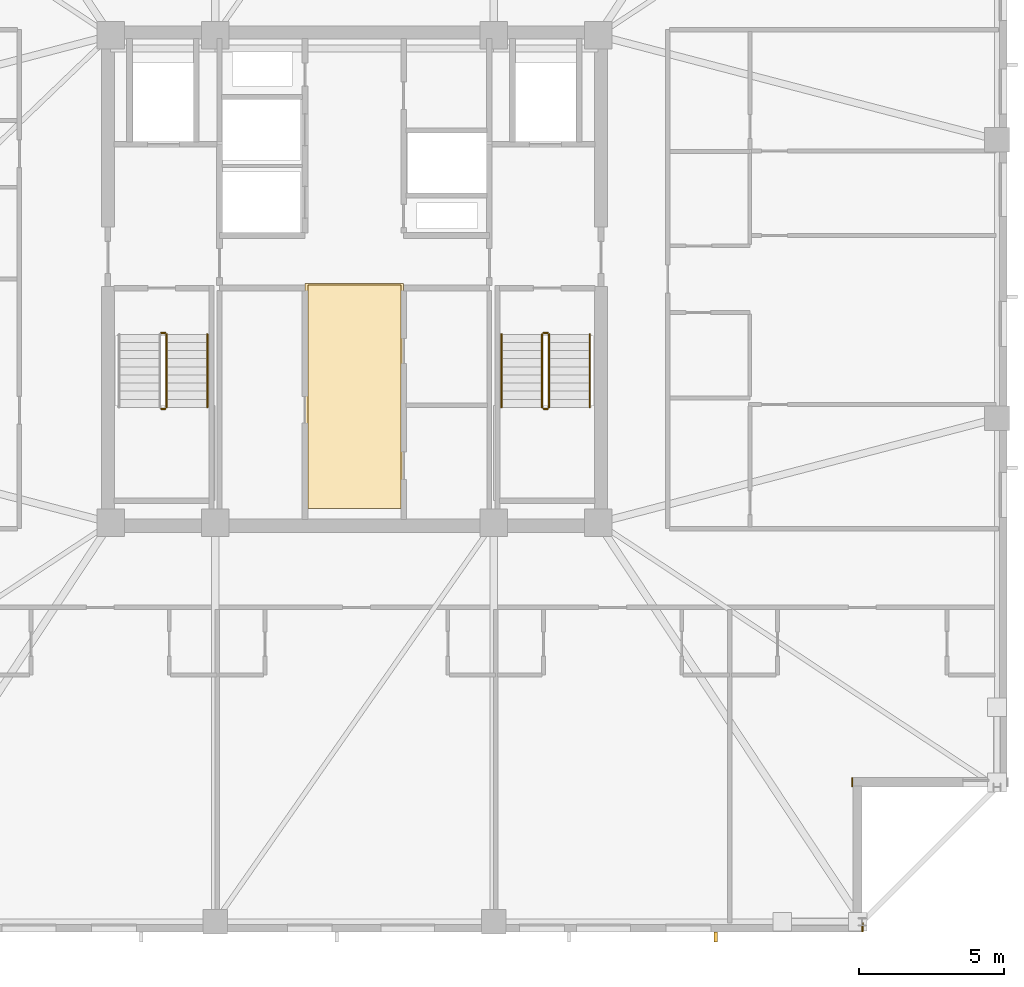
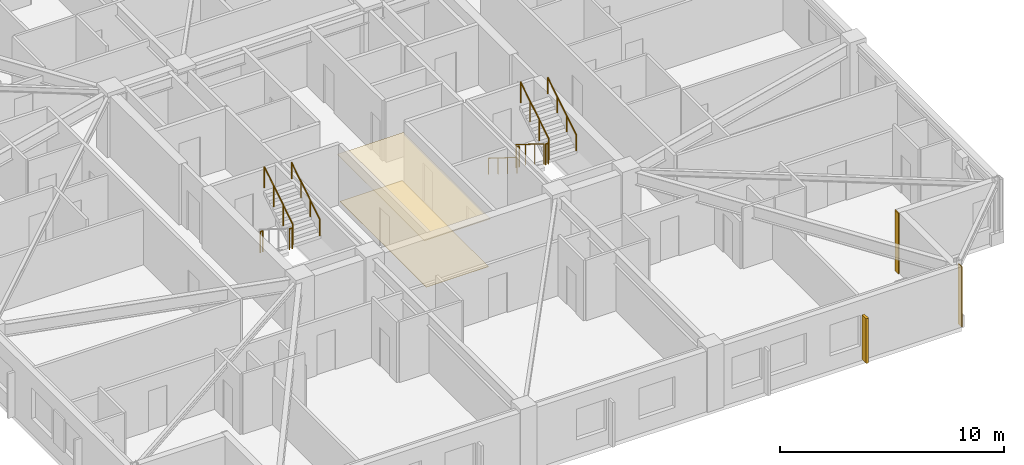
# One storey, part 14 of 17: 10 railings, 4 coverings, 1 shading device.
"""IFC4 building model written with IfcOpenShell, lengths in metres."""

from ifc_helpers import new_model, si_unit, direction, frame, frame_2d, origin, origin_2d, place, context, subcontext, project, spatial, polyline, rectangle, circle, outline, extrude, material, layer, layer_set, type_object, element, save


model = new_model("IFC4")

# Units and contexts
model_context = context("Model", 3, precision=1e-05, world=origin(), true_north=direction((0.0, 1.0)))
body_context = subcontext(model_context, "Body", "Model", "MODEL_VIEW")
ifc_project = project(units=[si_unit("LENGTHUNIT", "METRE"), si_unit("AREAUNIT", "SQUARE_METRE"), si_unit("VOLUMEUNIT", "CUBIC_METRE"), si_unit("PLANEANGLEUNIT", "RADIAN"), si_unit("MASSUNIT", "GRAM", prefix="KILO")], contexts=[model_context])

# Site, building, storey
site_placement = place(None, origin())
site = spatial("IfcSite", under=ifc_project, at=site_placement, CompositionType="ELEMENT")
building_placement = place(site_placement, origin())
building = spatial("IfcBuilding", under=site, at=building_placement, Name="Cairnveth Concourse Tower", CompositionType="ELEMENT")
storey_placement = place(building_placement, frame((0.0, 0.0, 220.0)))
storey = spatial("IfcBuildingStorey", under=building, at=storey_placement, Name="L60", CompositionType="ELEMENT", Elevation=220.0)

# Coverings
ifc_material_1 = material(Name="Acoustic Mineral Fibre Ceiling", Category="gypsum")
ifc_layer_1 = layer(ifc_material_1, 0.02490234375)
ifc_layer_set_1 = layer_set([ifc_layer_1], Name="Acoustic Mineral Fibre Ceiling")
covering_type_1 = type_object("IfcCoveringType", Name="ACOUSTIC MINERAL FIBRE CEILING 25", PredefinedType="CEILING", material=ifc_layer_set_1)
covering_1_placement = place(storey_placement, frame((0.0, 0.0, 2.55810546875)))
element("IfcCovering", 1, at=covering_1_placement, inside=storey, type_object=covering_type_1, Name="Lift Lobby Acoustic Ceiling L60", PredefinedType="CEILING", context=body_context, shape_type="SweptSolid", body=[
    extrude(outline(polyline([(50.300048828125, 31.10009765625), (53.699951171875, 31.10009765625), (53.699951171875, 38.85009765625), (50.300048828125, 38.85009765625), (50.300048828125, 31.10009765625)])), origin(), (0.0, 0.0, 1.0), 0.02490234375),
])
ifc_material_2 = material(Name="Dressed Melbourne Bluestone Cladding", Category="masonry")
ifc_layer_2 = layer(ifc_material_2, 0.050048828125)
ifc_layer_set_2 = layer_set([ifc_layer_2], Name="Dressed Melbourne Bluestone Cladding")
covering_type_2 = type_object("IfcCoveringType", Name="DRESSED BLUESTONE PLINTH CLADDING 50", PredefinedType="CLADDING", material=ifc_layer_set_2)
for number, where, z_axis, x_axis, name in (
    (2, (69.159912109375, 21.820068359375, 0.0), (0.0, 0.0, 1.0), (0.0, -1.0, 0.0), "Melbourne Bluestone Corner Quoin L60-900"),
    (3, (69.52001953125, 16.820068359375, 0.0), (0.0, 0.0, 1.0), (0.0, -1.0, 0.0), "Melbourne Bluestone Corner Quoin L60-901"),
):
    element("IfcCovering", number, at=place(storey_placement, frame(where, z_axis=z_axis, x_axis=x_axis)), inside=storey, type_object=covering_type_2, Name=name, PredefinedType="CLADDING", context=body_context, shape_type="SweptSolid", body=[
        extrude(rectangle(XDim=0.320068359375, YDim=0.050048828125, at=frame_2d((0.16015625, 0.0))), origin(), (0.0, 0.0, 1.0), 3.2900390625),
    ])

# Shading device
ifc_material_3 = material(Name="Architectural Bronze Anodised Aluminium 6063-T6", Category="aluminium")
shading_device_type = type_object("IfcShadingDeviceType", Name="GOTHIC BRONZE VERTICAL LANCET FIN", PredefinedType="USERDEFINED", material=ifc_material_3)
shading_device_placement = place(storey_placement, frame((64.447509765625, 16.324951171875, 0.030029296875), z_axis=(0.0, 0.0, 1.0), x_axis=(1.0, 0.0, 0.0)))
element("IfcShadingDevice", 4, at=shading_device_placement, inside=storey, type_object=shading_device_type, Name="Gothic Bronze Vertical Fin L60-6-1", ObjectType="VERTICAL FIN", PredefinedType="USERDEFINED", context=body_context, shape_type="SweptSolid", body=[
    extrude(rectangle(XDim=0.1201171875, YDim=0.360107421875, at=origin_2d()), origin(), (0.0, 0.0, 1.0), 2.43798828125),
])

# Railings
ifc_material_4 = material(Name="Steel Grade 350", Category="steel")
railing_type_1 = type_object("IfcRailingType", Name="STAIR GUARDRAIL 1150", PredefinedType="GUARDRAIL", material=ifc_material_4)
railing_1_placement = place(storey_placement, frame((45.340087890625, 34.530029296875, 1.75)))
element("IfcRailing", 5, at=railing_1_placement, inside=storey, type_object=railing_type_1, Name="L60 ST-1 stair guard 2", PredefinedType="GUARDRAIL", context=body_context, shape_type="SweptSolid", body=[
    extrude(circle(Radius=0.02392578125, at=origin_2d()), frame((0.0, 0.0, 1.1259765625), z_axis=(1.0, 0.0, 0.0), x_axis=(0.0, 1.0, 0.0)), (0.0, 0.0, 1.0), 0.139892578125),
    extrude(circle(Radius=0.02099609375, at=origin_2d()), origin(), (0.0, 0.0, 1.0), 1.101806640625),
    extrude(circle(Radius=0.02099609375, at=origin_2d()), frame((0.139892578125, 0.0, 0.0)), (0.0, 0.0, 1.0), 1.101806640625),
])
railing_2_placement = place(storey_placement, frame((45.530029296875, 34.580078125, 1.925048828125)))
element("IfcRailing", 6, at=railing_2_placement, inside=storey, type_object=railing_type_1, Name="L60 ST-1 stair guard 3", PredefinedType="GUARDRAIL", context=body_context, shape_type="SweptSolid", body=[
    extrude(circle(Radius=0.02392578125, at=origin_2d()), frame((0.0, 0.0, 1.1259765625), z_axis=(0.0, 0.848007534815, 0.529984170421), x_axis=(-1.0, 0.0, 0.0)), (0.0, 0.0, 1.0), 2.9716796875),
    extrude(circle(Radius=0.02099609375, at=origin_2d()), origin(), (0.0, 0.0, 1.0), 1.101806640625),
    extrude(circle(Radius=0.02099609375, at=origin_2d()), frame((0.0, 0.840087890625, 0.52490234375)), (0.0, 0.0, 1.0), 1.101806640625),
    extrude(circle(Radius=0.02099609375, at=origin_2d()), frame((0.0, 1.679931640625, 1.050048828125)), (0.0, 0.0, 1.0), 1.101806640625),
    extrude(circle(Radius=0.02099609375, at=origin_2d()), frame((0.0, 2.52001953125, 1.574951171875)), (0.0, 0.0, 1.0), 1.101806640625),
])
railing_3_placement = place(storey_placement, frame((45.340087890625, 37.14990234375, 0.0)))
element("IfcRailing", 7, at=railing_3_placement, inside=storey, type_object=railing_type_1, Name="L60 ST-1 stair guard 4", PredefinedType="GUARDRAIL", context=body_context, shape_type="SweptSolid", body=[
    extrude(circle(Radius=0.02392578125, at=origin_2d()), frame((0.0, 0.0, 1.1259765625), z_axis=(1.0, 0.0, 0.0), x_axis=(0.0, 1.0, 0.0)), (0.0, 0.0, 1.0), 0.139892578125),
    extrude(circle(Radius=0.02099609375, at=origin_2d()), origin(), (0.0, 0.0, 1.0), 1.101806640625),
    extrude(circle(Radius=0.02099609375, at=origin_2d()), frame((0.139892578125, 0.0, 0.0)), (0.0, 0.0, 1.0), 1.101806640625),
])
railing_4_placement = place(storey_placement, frame((58.469970703125, 37.10009765625, 0.175048828125)))
element("IfcRailing", 8, at=railing_4_placement, inside=storey, type_object=railing_type_1, Name="L60 ST-2 stair guard 1", PredefinedType="GUARDRAIL", context=body_context, shape_type="SweptSolid", body=[
    extrude(circle(Radius=0.02392578125, at=origin_2d()), frame((0.0, 0.0, 1.1259765625), z_axis=(0.0, -0.848007534815, 0.529984170421), x_axis=(1.0, 0.0, 0.0)), (0.0, 0.0, 1.0), 2.9716796875),
    extrude(circle(Radius=0.02099609375, at=origin_2d()), origin(), (0.0, 0.0, 1.0), 1.101806640625),
    extrude(circle(Radius=0.02099609375, at=origin_2d()), frame((0.0, -0.840087890625, 0.52490234375)), (0.0, 0.0, 1.0), 1.101806640625),
    extrude(circle(Radius=0.02099609375, at=origin_2d()), frame((0.0, -1.679931640625, 1.050048828125)), (0.0, 0.0, 1.0), 1.101806640625),
    extrude(circle(Radius=0.02099609375, at=origin_2d()), frame((0.0, -2.52001953125, 1.574951171875)), (0.0, 0.0, 1.0), 1.101806640625),
])
railing_5_placement = place(storey_placement, frame((58.52001953125, 34.530029296875, 1.75)))
element("IfcRailing", 9, at=railing_5_placement, inside=storey, type_object=railing_type_1, Name="L60 ST-2 stair guard 2", PredefinedType="GUARDRAIL", context=body_context, shape_type="SweptSolid", body=[
    extrude(circle(Radius=0.02392578125, at=origin_2d()), frame((0.0, 0.0, 1.1259765625), z_axis=(1.0, 0.0, 0.0), x_axis=(0.0, 1.0, 0.0)), (0.0, 0.0, 1.0), 0.139892578125),
    extrude(circle(Radius=0.02099609375, at=origin_2d()), origin(), (0.0, 0.0, 1.0), 1.101806640625),
    extrude(circle(Radius=0.02099609375, at=origin_2d()), frame((0.139892578125, 0.0, 0.0)), (0.0, 0.0, 1.0), 1.101806640625),
])
railing_6_placement = place(storey_placement, frame((58.7099609375, 34.580078125, 1.925048828125)))
element("IfcRailing", 10, at=railing_6_placement, inside=storey, type_object=railing_type_1, Name="L60 ST-2 stair guard 3", PredefinedType="GUARDRAIL", context=body_context, shape_type="SweptSolid", body=[
    extrude(circle(Radius=0.02392578125, at=origin_2d()), frame((0.0, 0.0, 1.1259765625), z_axis=(0.0, 0.848007534815, 0.529984170421), x_axis=(-1.0, 0.0, 0.0)), (0.0, 0.0, 1.0), 2.9716796875),
    extrude(circle(Radius=0.02099609375, at=origin_2d()), origin(), (0.0, 0.0, 1.0), 1.101806640625),
    extrude(circle(Radius=0.02099609375, at=origin_2d()), frame((0.0, 0.840087890625, 0.52490234375)), (0.0, 0.0, 1.0), 1.101806640625),
    extrude(circle(Radius=0.02099609375, at=origin_2d()), frame((0.0, 1.679931640625, 1.050048828125)), (0.0, 0.0, 1.0), 1.101806640625),
    extrude(circle(Radius=0.02099609375, at=origin_2d()), frame((0.0, 2.52001953125, 1.574951171875)), (0.0, 0.0, 1.0), 1.101806640625),
])
railing_7_placement = place(storey_placement, frame((58.52001953125, 37.14990234375, 0.0)))
element("IfcRailing", 11, at=railing_7_placement, inside=storey, type_object=railing_type_1, Name="L60 ST-2 stair guard 4", PredefinedType="GUARDRAIL", context=body_context, shape_type="SweptSolid", body=[
    extrude(circle(Radius=0.02392578125, at=origin_2d()), frame((0.0, 0.0, 1.1259765625), z_axis=(1.0, 0.0, 0.0), x_axis=(0.0, 1.0, 0.0)), (0.0, 0.0, 1.0), 0.139892578125),
    extrude(circle(Radius=0.02099609375, at=origin_2d()), origin(), (0.0, 0.0, 1.0), 1.101806640625),
    extrude(circle(Radius=0.02099609375, at=origin_2d()), frame((0.139892578125, 0.0, 0.0)), (0.0, 0.0, 1.0), 1.101806640625),
])
railing_type_2 = type_object("IfcRailingType", Name="STAIR WALL HANDRAIL 900", PredefinedType="HANDRAIL", material=ifc_material_4)
railing_8_placement = place(storey_placement, frame((46.929931640625, 34.580078125, 1.925048828125)))
element("IfcRailing", 12, at=railing_8_placement, inside=storey, type_object=railing_type_2, Name="L60 ST-1 stair handrail 2", PredefinedType="HANDRAIL", context=body_context, shape_type="SweptSolid", body=[
    extrude(circle(Radius=0.02392578125, at=origin_2d()), frame((0.0, 0.0, 0.8759765625), z_axis=(0.0, 0.848007534815, 0.529984170421), x_axis=(-1.0, 0.0, 0.0)), (0.0, 0.0, 1.0), 2.9716796875),
    extrude(circle(Radius=0.02099609375, at=origin_2d()), origin(), (0.0, 0.0, 1.0), 0.851806640625),
    extrude(circle(Radius=0.02099609375, at=origin_2d()), frame((0.0, 0.840087890625, 0.52490234375)), (0.0, 0.0, 1.0), 0.851806640625),
    extrude(circle(Radius=0.02099609375, at=origin_2d()), frame((0.0, 1.679931640625, 1.050048828125)), (0.0, 0.0, 1.0), 0.851806640625),
    extrude(circle(Radius=0.02099609375, at=origin_2d()), frame((0.0, 2.52001953125, 1.574951171875)), (0.0, 0.0, 1.0), 0.851806640625),
])
railing_9_placement = place(storey_placement, frame((57.070068359375, 37.10009765625, 0.175048828125)))
element("IfcRailing", 13, at=railing_9_placement, inside=storey, type_object=railing_type_2, Name="L60 ST-2 stair handrail 1", PredefinedType="HANDRAIL", context=body_context, shape_type="SweptSolid", body=[
    extrude(circle(Radius=0.02392578125, at=origin_2d()), frame((0.0, 0.0, 0.8759765625), z_axis=(0.0, -0.848007534815, 0.529984170421), x_axis=(1.0, 0.0, 0.0)), (0.0, 0.0, 1.0), 2.9716796875),
    extrude(circle(Radius=0.02099609375, at=origin_2d()), origin(), (0.0, 0.0, 1.0), 0.851806640625),
    extrude(circle(Radius=0.02099609375, at=origin_2d()), frame((0.0, -0.840087890625, 0.52490234375)), (0.0, 0.0, 1.0), 0.851806640625),
    extrude(circle(Radius=0.02099609375, at=origin_2d()), frame((0.0, -1.679931640625, 1.050048828125)), (0.0, 0.0, 1.0), 0.851806640625),
    extrude(circle(Radius=0.02099609375, at=origin_2d()), frame((0.0, -2.52001953125, 1.574951171875)), (0.0, 0.0, 1.0), 0.851806640625),
])
railing_10_placement = place(storey_placement, frame((60.110107421875, 34.580078125, 1.925048828125)))
element("IfcRailing", 14, at=railing_10_placement, inside=storey, type_object=railing_type_2, Name="L60 ST-2 stair handrail 2", PredefinedType="HANDRAIL", context=body_context, shape_type="SweptSolid", body=[
    extrude(circle(Radius=0.02392578125, at=origin_2d()), frame((0.0, 0.0, 0.8759765625), z_axis=(0.0, 0.848007534815, 0.529984170421), x_axis=(-1.0, 0.0, 0.0)), (0.0, 0.0, 1.0), 2.9716796875),
    extrude(circle(Radius=0.02099609375, at=origin_2d()), origin(), (0.0, 0.0, 1.0), 0.851806640625),
    extrude(circle(Radius=0.02099609375, at=origin_2d()), frame((0.0, 0.840087890625, 0.52490234375)), (0.0, 0.0, 1.0), 0.851806640625),
    extrude(circle(Radius=0.02099609375, at=origin_2d()), frame((0.0, 1.679931640625, 1.050048828125)), (0.0, 0.0, 1.0), 0.851806640625),
    extrude(circle(Radius=0.02099609375, at=origin_2d()), frame((0.0, 2.52001953125, 1.574951171875)), (0.0, 0.0, 1.0), 0.851806640625),
])

# Covering
ifc_material_5 = material(Name="Vitrified Stoneware Tile Flooring", Category="masonry")
ifc_layer_3 = layer(ifc_material_5, 0.02001953125)
ifc_layer_set_3 = layer_set([ifc_layer_3], Name="Vitrified Stoneware Tile Flooring")
covering_type_3 = type_object("IfcCoveringType", Name="VITRIFIED STONEWARE LOBBY FLOORING 20", PredefinedType="FLOORING", material=ifc_layer_set_3)
covering_2_placement = place(storey_placement, origin())
element("IfcCovering", 15, at=covering_2_placement, inside=storey, type_object=covering_type_3, Name="Lift Lobby Stoneware Flooring L60", PredefinedType="FLOORING", context=body_context, shape_type="SweptSolid", body=[
    extrude(outline(polyline([(50.39990234375, 31.10009765625), (53.60009765625, 31.10009765625), (53.60009765625, 38.800048828125), (50.39990234375, 38.800048828125), (50.39990234375, 31.10009765625)])), origin(), (0.0, 0.0, 1.0), 0.02001953125),
])

save(model, "model.ifc")
